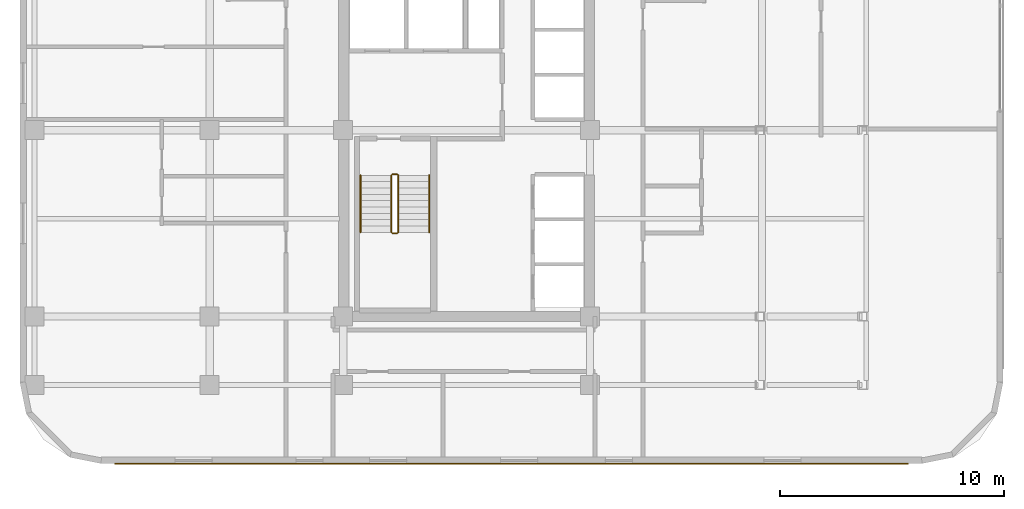
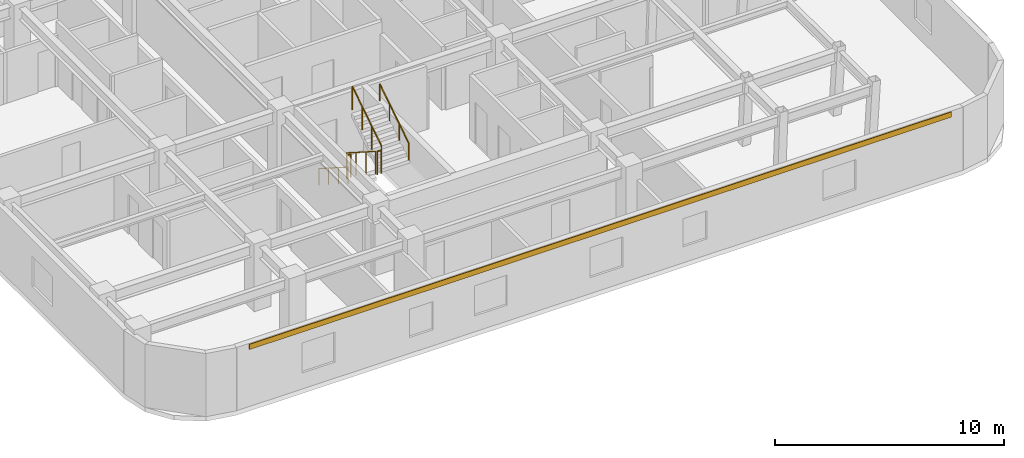
# One storey, part 9 of 12: 6 railings, 1 covering.
"""IFC4 building model written with IfcOpenShell, lengths in metres."""

from ifc_helpers import new_model, si_unit, direction, frame, origin, origin_2d, place, context, subcontext, project, spatial, rectangle, circle, extrude, material, layer, layer_set, type_object, element, save


model = new_model("IFC4")

# Units and contexts
model_context = context("Model", 3, precision=1e-05, world=origin(), true_north=direction((0.0, 1.0)))
body_context = subcontext(model_context, "Body", "Model", "MODEL_VIEW")
ifc_project = project(units=[si_unit("LENGTHUNIT", "METRE"), si_unit("AREAUNIT", "SQUARE_METRE"), si_unit("VOLUMEUNIT", "CUBIC_METRE"), si_unit("PLANEANGLEUNIT", "RADIAN"), si_unit("MASSUNIT", "GRAM", prefix="KILO")], contexts=[model_context])

# Site, building, storey
site_placement = place(None, origin())
site = spatial("IfcSite", under=ifc_project, at=site_placement, CompositionType="ELEMENT")
building_placement = place(site_placement, origin())
building = spatial("IfcBuilding", under=site, at=building_placement, Name="Ochreholt Gables", CompositionType="ELEMENT")
storey_placement = place(building_placement, frame((0.0, 0.0, 80.39990234375)))
storey = spatial("IfcBuildingStorey", under=building, at=storey_placement, Name="L20", CompositionType="ELEMENT", Elevation=80.39990234375)

# Covering
ifc_material_1 = material(Name="Glazed Ochre Terracotta Rainscreen Cladding", Category="masonry")
ifc_layer = layer(ifc_material_1, 0.044921875, Name="Glazed Ochre Terracotta Rainscreen Cladding")
ifc_layer_set = layer_set([ifc_layer], Name="Glazed Ochre Terracotta Rainscreen Cladding")
covering_type = type_object("IfcCoveringType", Name="COV-CLAD-TC", PredefinedType="CLADDING", material=ifc_layer_set)
covering_placement = place(storey_placement, frame((31.699951171875, 2.679931640625, 3.06005859375), z_axis=(0.0, 0.0, 1.0), x_axis=(1.0, 0.0, 0.0)))
element("IfcCovering", 1, at=covering_placement, inside=storey, type_object=covering_type, Name="L20 Terracotta Spandrel Cladding South", PredefinedType="CLADDING", context=body_context, shape_type="SweptSolid", body=[
    extrude(rectangle(XDim=35.360107421875, YDim=0.044921875, at=origin_2d()), origin(), (0.0, 0.0, 1.0), 0.280029296875),
])

# Railings
ifc_material_2 = material(Name="Painted Steel Stair Guardrail", Category="steel")
railing_type_1 = type_object("IfcRailingType", Name="RL-ST-GUARD", PredefinedType="GUARDRAIL", material=ifc_material_2)
railing_1_placement = place(storey_placement, frame((26.35009765625, 15.5400390625, 0.18017578125)))
element("IfcRailing", 2, at=railing_1_placement, inside=storey, type_object=railing_type_1, Name="L20 ST-1 stair guard 1", PredefinedType="GUARDRAIL", context=body_context, shape_type="SweptSolid", body=[
    extrude(circle(Radius=0.02392578125, at=origin_2d()), frame((0.0, 0.0, 1.22607421875), z_axis=(0.0, -0.842949592929, 0.537992549931), x_axis=(1.0, 0.0, 0.0)), (0.0, 0.0, 1.0), 3.010986328125),
    extrude(circle(Radius=0.02099609375, at=origin_2d()), origin(), (0.0, 0.0, 1.0), 1.201904296875),
    extrude(circle(Radius=0.02099609375, at=origin_2d()), frame((0.0, -0.845947265625, 0.5400390625)), (0.0, 0.0, 1.0), 1.201904296875),
    extrude(circle(Radius=0.02099609375, at=origin_2d()), frame((0.0, -1.692138671875, 1.079833984375)), (0.0, 0.0, 1.0), 1.201904296875),
    extrude(circle(Radius=0.02099609375, at=origin_2d()), frame((0.0, -2.5380859375, 1.619873046875)), (0.0, 0.0, 1.0), 1.201904296875),
])
railing_2_placement = place(storey_placement, frame((26.39990234375, 12.951904296875, 1.800048828125)))
element("IfcRailing", 3, at=railing_2_placement, inside=storey, type_object=railing_type_1, Name="L20 ST-1 stair guard 2", PredefinedType="GUARDRAIL", context=body_context, shape_type="SweptSolid", body=[
    extrude(circle(Radius=0.02392578125, at=origin_2d()), frame((0.0, 0.0, 1.22607421875), z_axis=(1.0, 0.0, 0.0), x_axis=(0.0, 1.0, 0.0)), (0.0, 0.0, 1.0), 0.2001953125),
    extrude(circle(Radius=0.02099609375, at=origin_2d()), origin(), (0.0, 0.0, 1.0), 1.201904296875),
    extrude(circle(Radius=0.02099609375, at=origin_2d()), frame((0.2001953125, 0.0, 0.0)), (0.0, 0.0, 1.0), 1.201904296875),
])
railing_3_placement = place(storey_placement, frame((26.64990234375, 13.001953125, 1.97998046875)))
element("IfcRailing", 4, at=railing_3_placement, inside=storey, type_object=railing_type_1, Name="L20 ST-1 stair guard 3", PredefinedType="GUARDRAIL", context=body_context, shape_type="SweptSolid", body=[
    extrude(circle(Radius=0.02392578125, at=origin_2d()), frame((0.0, 0.0, 1.22607421875), z_axis=(0.0, 0.842912820907, 0.538050161556), x_axis=(-1.0, 0.0, 0.0)), (0.0, 0.0, 1.0), 3.010986328125),
    extrude(circle(Radius=0.02099609375, at=origin_2d()), origin(), (0.0, 0.0, 1.0), 1.201904296875),
    extrude(circle(Radius=0.02099609375, at=origin_2d()), frame((0.0, 0.845947265625, 0.5400390625)), (0.0, 0.0, 1.0), 1.201904296875),
    extrude(circle(Radius=0.02099609375, at=origin_2d()), frame((0.0, 1.692138671875, 1.080078125)), (0.0, 0.0, 1.0), 1.201904296875),
    extrude(circle(Radius=0.02099609375, at=origin_2d()), frame((0.0, 2.5380859375, 1.6201171875)), (0.0, 0.0, 1.0), 1.201904296875),
])
railing_4_placement = place(storey_placement, frame((26.39990234375, 15.590087890625, 0.0)))
element("IfcRailing", 5, at=railing_4_placement, inside=storey, type_object=railing_type_1, Name="L20 ST-1 stair guard 4", PredefinedType="GUARDRAIL", context=body_context, shape_type="SweptSolid", body=[
    extrude(circle(Radius=0.02392578125, at=origin_2d()), frame((0.0, 0.0, 1.22607421875), z_axis=(1.0, 0.0, 0.0), x_axis=(0.0, 1.0, 0.0)), (0.0, 0.0, 1.0), 0.2001953125),
    extrude(circle(Radius=0.02099609375, at=origin_2d()), origin(), (0.0, 0.0, 1.0), 1.201904296875),
    extrude(circle(Radius=0.02099609375, at=origin_2d()), frame((0.2001953125, 0.0, 0.0)), (0.0, 0.0, 1.0), 1.201904296875),
])
ifc_material_3 = material(Name="Brushed Stainless Steel Wall Handrail", Category="steel")
railing_type_2 = type_object("IfcRailingType", Name="RL-ST-HAND", PredefinedType="HANDRAIL", material=ifc_material_3)
railing_5_placement = place(storey_placement, frame((24.969970703125, 15.5400390625, 0.18017578125)))
element("IfcRailing", 6, at=railing_5_placement, inside=storey, type_object=railing_type_2, Name="L20 ST-1 stair handrail 1", PredefinedType="HANDRAIL", context=body_context, shape_type="SweptSolid", body=[
    extrude(circle(Radius=0.02392578125, at=origin_2d()), frame((0.0, 0.0, 0.8759765625), z_axis=(0.0, -0.842949592929, 0.537992549931), x_axis=(1.0, 0.0, 0.0)), (0.0, 0.0, 1.0), 3.010986328125),
    extrude(circle(Radius=0.02099609375, at=origin_2d()), origin(), (0.0, 0.0, 1.0), 0.851806640625),
    extrude(circle(Radius=0.02099609375, at=origin_2d()), frame((0.0, -0.845947265625, 0.5400390625)), (0.0, 0.0, 1.0), 0.851806640625),
    extrude(circle(Radius=0.02099609375, at=origin_2d()), frame((0.0, -1.692138671875, 1.079833984375)), (0.0, 0.0, 1.0), 0.851806640625),
    extrude(circle(Radius=0.02099609375, at=origin_2d()), frame((0.0, -2.5380859375, 1.619873046875)), (0.0, 0.0, 1.0), 0.851806640625),
])
railing_6_placement = place(storey_placement, frame((28.030029296875, 13.001953125, 1.97998046875)))
element("IfcRailing", 7, at=railing_6_placement, inside=storey, type_object=railing_type_2, Name="L20 ST-1 stair handrail 2", PredefinedType="HANDRAIL", context=body_context, shape_type="SweptSolid", body=[
    extrude(circle(Radius=0.02392578125, at=origin_2d()), frame((0.0, 0.0, 0.8759765625), z_axis=(0.0, 0.842912820907, 0.538050161556), x_axis=(-1.0, 0.0, 0.0)), (0.0, 0.0, 1.0), 3.010986328125),
    extrude(circle(Radius=0.02099609375, at=origin_2d()), origin(), (0.0, 0.0, 1.0), 0.851806640625),
    extrude(circle(Radius=0.02099609375, at=origin_2d()), frame((0.0, 0.845947265625, 0.5400390625)), (0.0, 0.0, 1.0), 0.851806640625),
    extrude(circle(Radius=0.02099609375, at=origin_2d()), frame((0.0, 1.692138671875, 1.080078125)), (0.0, 0.0, 1.0), 0.851806640625),
    extrude(circle(Radius=0.02099609375, at=origin_2d()), frame((0.0, 2.5380859375, 1.6201171875)), (0.0, 0.0, 1.0), 0.851806640625),
])

save(model, "model.ifc")
